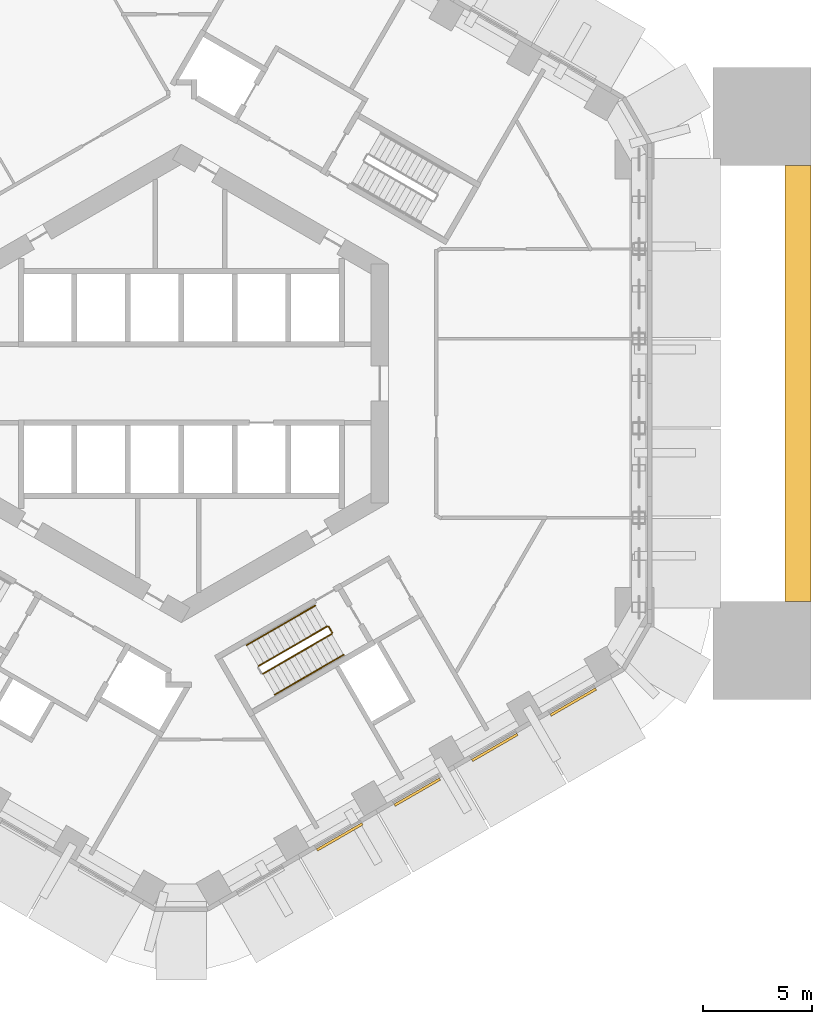
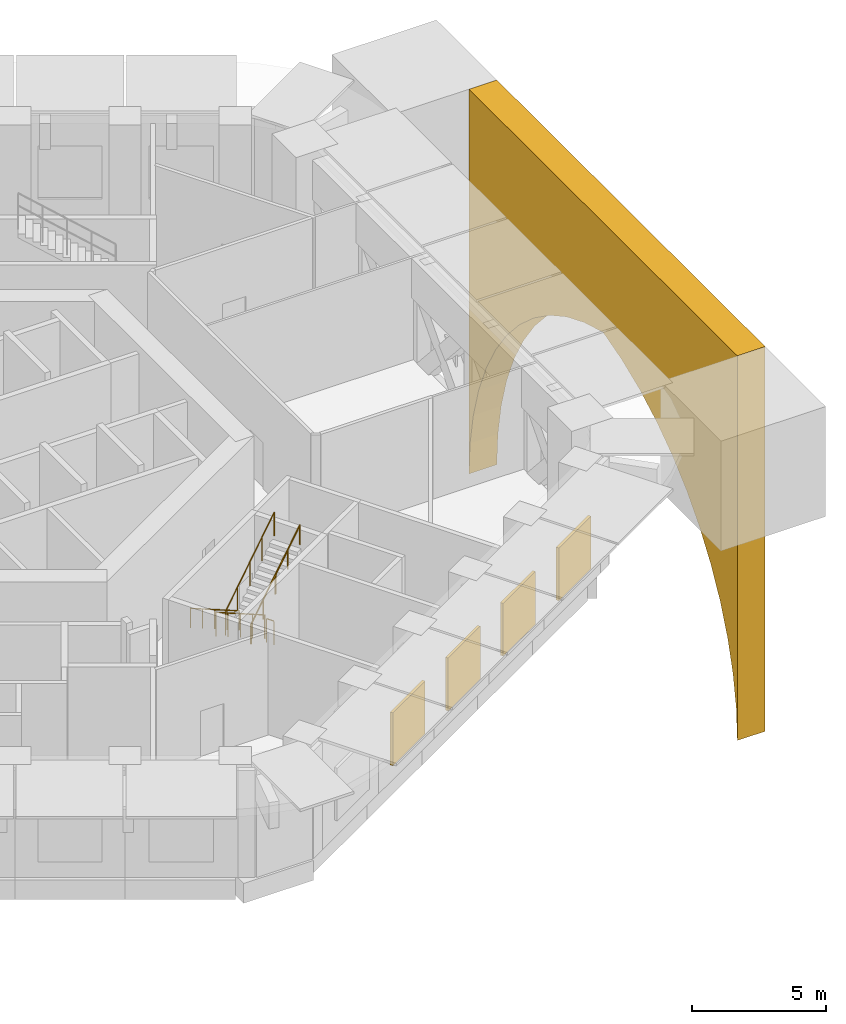
# One storey, part 9 of 10: 7 railings, 5 shading devices.
"""IFC4 building model written with IfcOpenShell, lengths in metres."""

import ifcopenshell
import ifcopenshell.guid

model = None  # the IFC model being written
_history = None  # IfcOwnerHistory: only IFC2X3 demands one
_inside = {}  # id of a spatial element -> (the spatial element, [elements in it])
_under = {}  # id of a project, library or spatial element -> (it, [spatial elements below it])
_declared = {}  # id of a project -> (the project, [libraries it declares])
_typed = {}  # id of a type object -> (the type object, [elements of that type])
_made_of = {}  # id of a material, layer set ... -> (it, [elements and type objects made of it])


def new_model(schema):
    """Start an empty IFC model of exactly this schema.

    Asked for "IFC4X3", IfcOpenShell would pick the latest addendum, in which some entities
    have other attributes; the version numbers below select the first issue.
    IFC2X3 requires an IfcOwnerHistory on every rooted entity: one is made here for all.
    """
    global model, _history
    if schema == "IFC4X3":
        model = ifcopenshell.file(schema_version=(4, 3, 0, 0))
    else:
        model = ifcopenshell.file(schema=schema)
    _inside.clear()
    _under.clear()
    _declared.clear()
    _typed.clear()
    _made_of.clear()
    _history = None
    if model.schema == "IFC2X3":
        org = make("IfcOrganization", Name="unknown")
        user = make(
            "IfcPersonAndOrganization",
            ThePerson=make("IfcPerson", FamilyName="unknown"),
            TheOrganization=org,
        )
        app = make(
            "IfcApplication",
            ApplicationDeveloper=org,
            Version="unknown",
            ApplicationFullName="unknown",
            ApplicationIdentifier="unknown",
        )
        _history = make(
            "IfcOwnerHistory",
            OwningUser=user,
            OwningApplication=app,
            ChangeAction="ADDED",
            CreationDate=0,
        )
    return model


def make(cls, **values):
    """One entity of the class cls with the attributes given. An attribute that is None is left unset."""
    return model.create_entity(
        cls, **{name: value for name, value in values.items() if value is not None}
    )


def rooted(cls, **values):
    """An entity with a GlobalId (a new one), such as an element, a storey or a relation."""
    return make(cls, GlobalId=ifcopenshell.guid.new(), OwnerHistory=_history, **values)


def si_unit(unit_type, name, prefix=None):
    """IfcSIUnit, for example si_unit("LENGTHUNIT", "METRE", prefix="MILLI")."""
    return make("IfcSIUnit", UnitType=unit_type, Prefix=prefix, Name=name)


def assignment(units):
    """IfcUnitAssignment: the units of a project."""
    return None if units is None else make("IfcUnitAssignment", Units=units)


def point(xyz):
    """IfcCartesianPoint."""
    return None if xyz is None else make("IfcCartesianPoint", Coordinates=xyz)


def direction(xyz):
    """IfcDirection."""
    return None if xyz is None else make("IfcDirection", DirectionRatios=xyz)


def frame(location, z_axis=None, x_axis=None):
    """IfcAxis2Placement3D, a coordinate frame: its origin and axes. An axis left out is left unset."""
    return make(
        "IfcAxis2Placement3D",
        Location=point(location),
        Axis=direction(z_axis),
        RefDirection=direction(x_axis),
    )


def frame_2d(location, x_axis=None):
    """IfcAxis2Placement2D, a coordinate frame in the plane: its origin and x axis."""
    return make(
        "IfcAxis2Placement2D", Location=point(location), RefDirection=direction(x_axis)
    )


def origin():
    """The frame at (0, 0, 0) with its axes left unset."""
    return frame((0.0, 0.0, 0.0))


def origin_2d():
    """The frame at (0, 0) in the plane with its x axis left unset."""
    return frame_2d((0.0, 0.0))


def place(relative_to, where):
    """IfcLocalPlacement: puts the frame where relative to a parent placement (None: the world)."""
    return make(
        "IfcLocalPlacement", PlacementRelTo=relative_to, RelativePlacement=where
    )


def context(
    kind, dimensions, precision=None, world=None, true_north=None, identifier=None
):
    """IfcGeometricRepresentationContext, for example the 3D "Model" context."""
    return make(
        "IfcGeometricRepresentationContext",
        ContextIdentifier=identifier,
        ContextType=kind,
        CoordinateSpaceDimension=dimensions,
        Precision=precision,
        WorldCoordinateSystem=world,
        TrueNorth=true_north,
    )


def subcontext(parent, identifier, kind, view, scale=None):
    """IfcGeometricRepresentationSubContext, for example "Body" below "Model"."""
    return make(
        "IfcGeometricRepresentationSubContext",
        ContextIdentifier=identifier,
        ContextType=kind,
        ParentContext=parent,
        TargetScale=scale,
        TargetView=view,
    )


def project(units=None, contexts=None):
    """IfcProject with its units and contexts."""
    return rooted(
        "IfcProject",
        Name="project",
        RepresentationContexts=contexts,
        UnitsInContext=assignment(units),
    )


def spatial(cls, under=None, at=None, **own):
    """A site, building, storey or space (cls), placed at a placement, below another one or the project."""
    s = rooted(cls, ObjectPlacement=at, **own)
    if under is not None:
        _under.setdefault(under.id(), (under, []))[1].append(s)
    return s


def polyline(points):
    """IfcPolyline through the points."""
    return make("IfcPolyline", Points=[point(p) for p in points])


def profile(cls, at=None, kind="AREA", **sizes):
    """A parametric profile (cls). Its sizes go by their IFC names, for example OverallWidth=200.0."""
    return make(cls, ProfileType=kind, Position=at, **sizes)


def rectangle(**sizes):
    """IfcRectangleProfileDef."""
    return profile("IfcRectangleProfileDef", **sizes)


def circle(**sizes):
    """IfcCircleProfileDef."""
    return profile("IfcCircleProfileDef", **sizes)


def outline(outer, holes=None, kind="AREA"):
    """IfcArbitraryClosedProfileDef: a profile drawn as a closed curve; with holes, ...WithVoids."""
    if holes is None:
        return make("IfcArbitraryClosedProfileDef", ProfileType=kind, OuterCurve=outer)
    return make(
        "IfcArbitraryProfileDefWithVoids",
        ProfileType=kind,
        OuterCurve=outer,
        InnerCurves=holes,
    )


def extrude(swept, where, along, depth):
    """IfcExtrudedAreaSolid: the profile swept, set in the frame where, extruded along a direction by depth."""
    return make(
        "IfcExtrudedAreaSolid",
        SweptArea=swept,
        Position=where,
        ExtrudedDirection=direction(along),
        Depth=depth,
    )


def shape(context_of_items, identifier, shape_type, items):
    """IfcShapeRepresentation: the items that make up one representation, for example the "Body"."""
    return make(
        "IfcShapeRepresentation",
        ContextOfItems=context_of_items,
        RepresentationIdentifier=identifier,
        RepresentationType=shape_type,
        Items=items,
    )


def material(Name=None, Category=None):
    """IfcMaterial."""
    return make("IfcMaterial", Name=Name, Category=Category)


def layer(
    of_material, thickness, ventilated=None, Name=None, Category=None, Priority=None
):
    """IfcMaterialLayer: one layer of a wall or slab, of a material (None: an air gap)."""
    return make(
        "IfcMaterialLayer",
        Material=of_material,
        LayerThickness=thickness,
        IsVentilated=ventilated,
        Name=Name,
        Category=Category,
        Priority=Priority,
    )


def layer_set(layers, Name=None):
    """IfcMaterialLayerSet."""
    return make("IfcMaterialLayerSet", MaterialLayers=layers, LayerSetName=Name)


def made_of(thing, what):
    """Note that an element or type object is made of a material, layer set ...; save() writes the relation."""
    if what is not None:
        _made_of.setdefault(what.id(), (what, []))[1].append(thing)
    return thing


def type_object(cls, material=None, **own):
    """A type object (cls), such as IfcWallType, which elements share."""
    return made_of(rooted(cls, **own), material)


def element(
    cls,
    number,
    at=None,
    inside=None,
    cuts=None,
    type_object=None,
    material=None,
    context=None,
    identifier="Body",
    shape_type=None,
    held_by="IfcProductDefinitionShape",
    body=None,
    shapes=None,
    **own,
):
    """One element of the class cls, such as IfcWall. Its Tag is "e" and its number.

    at: its placement. inside: the storey or other place that contains it. cuts: it is an
    opening in that element (IfcRelVoidsElement). A single representation is given by context,
    identifier, shape_type and body (its items); several are given by shapes. held_by: the class
    of the entity that holds the representations. save() writes the other relations.
    """
    e = rooted(cls, Tag="e%d" % number, ObjectPlacement=at, **own)
    if body is not None:
        shapes = [shape(context, identifier, shape_type, body)]
    if shapes is not None:
        e.Representation = make(held_by, Representations=shapes)
    if inside is not None:
        _inside.setdefault(inside.id(), (inside, []))[1].append(e)
    if cuts is not None:
        rooted(
            "IfcRelVoidsElement", RelatingBuildingElement=cuts, RelatedOpeningElement=e
        )
    if type_object is not None:
        _typed.setdefault(type_object.id(), (type_object, []))[1].append(e)
    return made_of(e, material)


def aggregate(whole, parts):
    """IfcRelAggregates: a whole, such as a stair, and the parts it consists of."""
    return rooted("IfcRelAggregates", RelatingObject=whole, RelatedObjects=parts)


def save(model, path):
    """Write the relations noted so far, then the file.

    IfcRelAggregates (storeys below a building ...), IfcRelContainedInSpatialStructure (elements
    in a storey), IfcRelDefinesByType, IfcRelAssociatesMaterial and IfcRelDeclares: one each for
    every whole, place, type object, material and project.
    """
    for whole, parts in _under.values():
        aggregate(whole, parts)
    for where, things in _inside.values():
        rooted(
            "IfcRelContainedInSpatialStructure",
            RelatedElements=things,
            RelatingStructure=where,
        )
    for kind, things in _typed.values():
        rooted("IfcRelDefinesByType", RelatedObjects=things, RelatingType=kind)
    for what, things in _made_of.values():
        rooted("IfcRelAssociatesMaterial", RelatedObjects=things, RelatingMaterial=what)
    for by, libraries in _declared.values():
        rooted("IfcRelDeclares", RelatingContext=by, RelatedDefinitions=libraries)
    model.write(path)


model = new_model("IFC4")

# Units and contexts
model_context = context("Model", 3, precision=1e-05, world=origin(), true_north=direction((0.0, 1.0)))
body_context = subcontext(model_context, "Body", "Model", "MODEL_VIEW")
ifc_project = project(units=[si_unit("LENGTHUNIT", "METRE"), si_unit("AREAUNIT", "SQUARE_METRE"), si_unit("VOLUMEUNIT", "CUBIC_METRE"), si_unit("PLANEANGLEUNIT", "RADIAN"), si_unit("MASSUNIT", "GRAM", prefix="KILO")], contexts=[model_context])

# Site, building, storey
site_placement = place(None, origin())
site = spatial("IfcSite", under=ifc_project, at=site_placement, CompositionType="ELEMENT")
building_placement = place(site_placement, origin())
building = spatial("IfcBuilding", under=site, at=building_placement, Name="Ayvan Gate Tower", CompositionType="ELEMENT")
storey_placement = place(building_placement, frame((0.0, 0.0, 20.5)))
storey = spatial("IfcBuildingStorey", under=building, at=storey_placement, Name="L04", CompositionType="ELEMENT", Elevation=20.5)

# Shading devices
ifc_material_1 = material(Name="Anodised aluminium louvre", Category="aluminium")
ifc_layer_1 = layer(ifc_material_1, 0.1201171875)
ifc_layer_set_1 = layer_set([ifc_layer_1], Name="Anodised aluminium louvre")
shading_device_type_1 = type_object("IfcShadingDeviceType", Name="Plant louvre 2400 x 2400", PredefinedType="USERDEFINED", material=ifc_layer_set_1)
for number, where, z_axis, x_axis, name in (
    (1, (7.265380859375, -20.79833984375, 0.800048828125), (0.0, 0.0, 1.0), (0.866025403784, 0.5, 0.0), "Plant louvre L04.6.1"),
    (2, (10.82275390625, -18.74462890625, 0.800048828125), (0.0, 0.0, 1.0), (0.866025403784, 0.5, 0.0), "Plant louvre L04.6.2"),
    (3, (14.37939453125, -16.691162109375, 0.800048828125), (0.0, 0.0, 1.0), (0.866025403784, 0.5, 0.0), "Plant louvre L04.6.3"),
    (4, (17.97607421875, -14.614501953125, 0.800048828125), (0.0, 0.0, 1.0), (0.866025403784, 0.5, 0.0), "Plant louvre L04.6.4"),
):
    element("IfcShadingDevice", number, at=place(storey_placement, frame(where, z_axis=z_axis, x_axis=x_axis)), inside=storey, type_object=shading_device_type_1, Name=name, ObjectType="LOUVRE", PredefinedType="USERDEFINED", context=body_context, shape_type="SweptSolid", body=[
        extrude(rectangle(XDim=2.39990234375, YDim=0.1201171875, at=origin_2d()), origin(), (0.0, 0.0, 1.0), 2.39990234375),
    ])
ifc_material_2 = material(Name="Pale metal cladding on reinforced concrete", Category="concrete")
ifc_layer_2 = layer(ifc_material_2, 1.199951171875)
ifc_layer_set_2 = layer_set([ifc_layer_2], Name="Pale metal cladding on reinforced concrete")
shading_device_type_2 = type_object("IfcShadingDeviceType", Name="Portal screen panel 1200", PredefinedType="USERDEFINED", material=ifc_layer_set_2)
shading_device_placement = place(storey_placement, frame((28.884521484375, -10.0, -12.5), z_axis=(1.0, 0.0, 0.0), x_axis=(0.0, 0.056117913579, 0.998424148233)))
element("IfcShadingDevice", 5, at=shading_device_placement, inside=storey, type_object=shading_device_type_2, Name="Portal screen panel PS-E", ObjectType="PORTAL SCREEN", PredefinedType="USERDEFINED", context=body_context, shape_type="SweptSolid", body=[
    extrude(outline(polyline([(0.0, 0.0), (1.440013388266844, -1.3877787807814457e-17), (2.871031277508469, -0.16189274009737892), (4.274810221515658, -0.483035730883281), (5.633796939778405, -0.9600141132746716), (6.930503799069835, -1.5862305008836788), (8.148850898886483, -2.354030279765203), (9.273380001111619, -3.2537676868221417), (10.289755742468873, -4.274022164375964), (11.185266846975864, -5.401814714737289), (11.948352314815555, -6.6228790574264345), (12.569847603139078, -7.922080637652078), (13.041480988704848, -9.28276756259953), (12.72529531980521, -10.687735028730211), (12.253301660625075, -12.04839778090758), (11.631853641656747, -13.347281886567256), (10.868362120949763, -14.56832114586827), (9.972716617496788, -15.696043620031395), (8.956093933080789, -16.716127646442757), (7.831459364728654, -17.615618193224414), (6.613092893582557, -18.383198016454887), (5.3161153737713285, -19.00945881738975), (3.9571649974471628, -19.485885116891843), (2.5533018212702547, -19.807116561803888), (1.122358271574976, -19.96848296466778), (18.59478086565928, -18.986419477039675), (17.472422594084307, 0.982063487628104), (0.0, 0.0)])), origin(), (0.0, 0.0, -1.0), 1.199951171875),
])

# Railings
ifc_material_3 = material(Name="Stainless steel balustrade", Category="steel")
railing_type_1 = type_object("IfcRailingType", Name="RL-GUARD-1100", PredefinedType="GUARDRAIL", material=ifc_material_3)
railing_1_placement = place(storey_placement, frame((6.6923828125, -11.1416015625, 0.178466796875)))
element("IfcRailing", 6, at=railing_1_placement, inside=storey, type_object=railing_type_1, Name="L04 STS3 stair guard 1", PredefinedType="GUARDRAIL", context=body_context, shape_type="SweptSolid", body=[
    extrude(circle(Radius=0.02392578125, at=origin_2d()), frame((0.0, 0.0, 1.076171875), z_axis=(-0.730175966949, -0.421525066422, 0.537735693132), x_axis=(0.499962438169, -0.866047089031, 0.0)), (0.0, 0.0, 1.0), 4.317138671875),
    extrude(circle(Radius=0.02099609375, at=origin_2d()), origin(), (0.0, 0.0, 1.0), 1.052001953125),
    extrude(circle(Radius=0.02099609375, at=origin_2d()), frame((-0.7880859375, -0.455078125, 0.580322265625)), (0.0, 0.0, 1.0), 1.052001953125),
    extrude(circle(Radius=0.02099609375, at=origin_2d()), frame((-1.576171875, -0.909912109375, 1.16064453125)), (0.0, 0.0, 1.0), 1.052001953125),
    extrude(circle(Radius=0.02099609375, at=origin_2d()), frame((-2.3642578125, -1.36474609375, 1.7412109375)), (0.0, 0.0, 1.0), 1.052001953125),
    extrude(circle(Radius=0.02099609375, at=origin_2d()), frame((-3.15234375, -1.81982421875, 2.321533203125)), (0.0, 0.0, 1.0), 1.052001953125),
])
railing_2_placement = place(storey_placement, frame((3.7451171875, -13.316650390625, 2.678466796875)))
element("IfcRailing", 7, at=railing_2_placement, inside=storey, type_object=railing_type_1, Name="L04 STS3 stair guard 3", PredefinedType="GUARDRAIL", context=body_context, shape_type="SweptSolid", body=[
    extrude(circle(Radius=0.02392578125, at=origin_2d()), frame((0.0, 0.0, 1.076171875), z_axis=(0.730158560966, 0.421571566915, 0.537722874553), x_axis=(-0.500012742938, 0.866018046521, 0.0)), (0.0, 0.0, 1.0), 4.3173828125),
    extrude(circle(Radius=0.02099609375, at=origin_2d()), origin(), (0.0, 0.0, 1.0), 1.052001953125),
    extrude(circle(Radius=0.02099609375, at=origin_2d()), frame((0.7880859375, 0.455078125, 0.580322265625)), (0.0, 0.0, 1.0), 1.052001953125),
    extrude(circle(Radius=0.02099609375, at=origin_2d()), frame((1.576171875, 0.91015625, 1.16064453125)), (0.0, 0.0, 1.0), 1.052001953125),
    extrude(circle(Radius=0.02099609375, at=origin_2d()), frame((2.3642578125, 1.364990234375, 1.7412109375)), (0.0, 0.0, 1.0), 1.052001953125),
    extrude(circle(Radius=0.02099609375, at=origin_2d()), frame((3.15234375, 1.820068359375, 2.321533203125)), (0.0, 0.0, 1.0), 1.052001953125),
])
railing_3_placement = place(storey_placement, frame((6.7607421875, -11.159912109375, 0.0)))
element("IfcRailing", 8, at=railing_3_placement, inside=storey, type_object=railing_type_1, Name="L04 STS3 stair guard 4", PredefinedType="GUARDRAIL", context=body_context, shape_type="SweptSolid", body=[
    extrude(circle(Radius=0.02392578125, at=origin_2d()), frame((0.0, 0.0, 1.076171875), z_axis=(0.500290723946, -0.86585748916, 0.0), x_axis=(0.86585748916, 0.500290723946, 0.0)), (0.0, 0.0, 1.0), 0.309814453125),
    extrude(circle(Radius=0.02099609375, at=origin_2d()), origin(), (0.0, 0.0, 1.0), 1.052001953125),
    extrude(circle(Radius=0.02099609375, at=origin_2d()), frame((0.155029296875, -0.268310546875, 0.0)), (0.0, 0.0, 1.0), 1.052001953125),
])
railing_type_2 = type_object("IfcRailingType", Name="RL-HANDRAIL-900", PredefinedType="HANDRAIL", material=ifc_material_3)
railing_4_placement = place(storey_placement, frame((6.142333984375, -10.18896484375, 0.178466796875)))
element("IfcRailing", 9, at=railing_4_placement, inside=storey, type_object=railing_type_2, Name="L04 STS3 stair handrail 1", PredefinedType="HANDRAIL", context=body_context, shape_type="SweptSolid", body=[
    extrude(circle(Radius=0.02392578125, at=origin_2d()), frame((0.0, 0.0, 0.8759765625), z_axis=(-0.730153762835, -0.421512248155, 0.537775889449), x_axis=(0.499962438169, -0.866047089031, 0.0)), (0.0, 0.0, 1.0), 2.15869140625),
    extrude(circle(Radius=0.02099609375, at=origin_2d()), origin(), (0.0, 0.0, 1.0), 0.851806640625),
    extrude(circle(Radius=0.02099609375, at=origin_2d()), frame((-0.7880859375, -0.455078125, 0.58056640625)), (0.0, 0.0, 1.0), 0.851806640625),
    extrude(circle(Radius=0.02099609375, at=origin_2d()), frame((-1.576171875, -0.909912109375, 1.160888671875)), (0.0, 0.0, 1.0), 0.851806640625),
])
railing_5_placement = place(storey_placement, frame((4.566162109375, -11.098876953125, 1.33935546875)))
element("IfcRailing", 10, at=railing_5_placement, inside=storey, type_object=railing_type_2, Name="L04 STS3 stair handrail 2", PredefinedType="HANDRAIL", context=body_context, shape_type="SweptSolid", body=[
    extrude(circle(Radius=0.02392578125, at=origin_2d()), frame((0.0, 0.0, 0.8759765625), z_axis=(-0.730198170753, -0.42153788451, 0.537695493148), x_axis=(0.499962438169, -0.866047089031, 0.0)), (0.0, 0.0, 1.0), 2.158447265625),
    extrude(circle(Radius=0.02099609375, at=origin_2d()), origin(), (0.0, 0.0, 1.0), 0.851806640625),
    extrude(circle(Radius=0.02099609375, at=origin_2d()), frame((-0.7880859375, -0.455078125, 0.580322265625)), (0.0, 0.0, 1.0), 0.851806640625),
    extrude(circle(Radius=0.02099609375, at=origin_2d()), frame((-1.576171875, -0.909912109375, 1.16064453125)), (0.0, 0.0, 1.0), 0.851806640625),
])
railing_6_placement = place(storey_placement, frame((4.294921875, -14.269287109375, 2.678466796875)))
element("IfcRailing", 11, at=railing_6_placement, inside=storey, type_object=railing_type_2, Name="L04 STS3 stair handrail 3", PredefinedType="HANDRAIL", context=body_context, shape_type="SweptSolid", body=[
    extrude(circle(Radius=0.02392578125, at=origin_2d()), frame((0.0, 0.0, 0.8759765625), z_axis=(0.730118952955, 0.421605244209, 0.537750251131), x_axis=(-0.500063042646, 0.865989003036, 0.0)), (0.0, 0.0, 1.0), 2.15869140625),
    extrude(circle(Radius=0.02099609375, at=origin_2d()), origin(), (0.0, 0.0, 1.0), 0.851806640625),
    extrude(circle(Radius=0.02099609375, at=origin_2d()), frame((0.7880859375, 0.455078125, 0.58056640625)), (0.0, 0.0, 1.0), 0.851806640625),
    extrude(circle(Radius=0.02099609375, at=origin_2d()), frame((1.576171875, 0.91015625, 1.160888671875)), (0.0, 0.0, 1.0), 0.851806640625),
])
railing_7_placement = place(storey_placement, frame((5.87109375, -13.359130859375, 3.83935546875)))
element("IfcRailing", 12, at=railing_7_placement, inside=storey, type_object=railing_type_2, Name="L04 STS3 stair handrail 4", PredefinedType="HANDRAIL", context=body_context, shape_type="SweptSolid", body=[
    extrude(circle(Radius=0.02392578125, at=origin_2d()), frame((0.0, 0.0, 0.8759765625), z_axis=(0.730198170753, 0.42153788451, 0.537695493148), x_axis=(-0.499962438169, 0.866047089031, 0.0)), (0.0, 0.0, 1.0), 2.158447265625),
    extrude(circle(Radius=0.02099609375, at=origin_2d()), origin(), (0.0, 0.0, 1.0), 0.851806640625),
    extrude(circle(Radius=0.02099609375, at=origin_2d()), frame((0.7880859375, 0.455078125, 0.580322265625)), (0.0, 0.0, 1.0), 0.851806640625),
    extrude(circle(Radius=0.02099609375, at=origin_2d()), frame((1.576171875, 0.909912109375, 1.16064453125)), (0.0, 0.0, 1.0), 0.851806640625),
])

save(model, "model.ifc")
